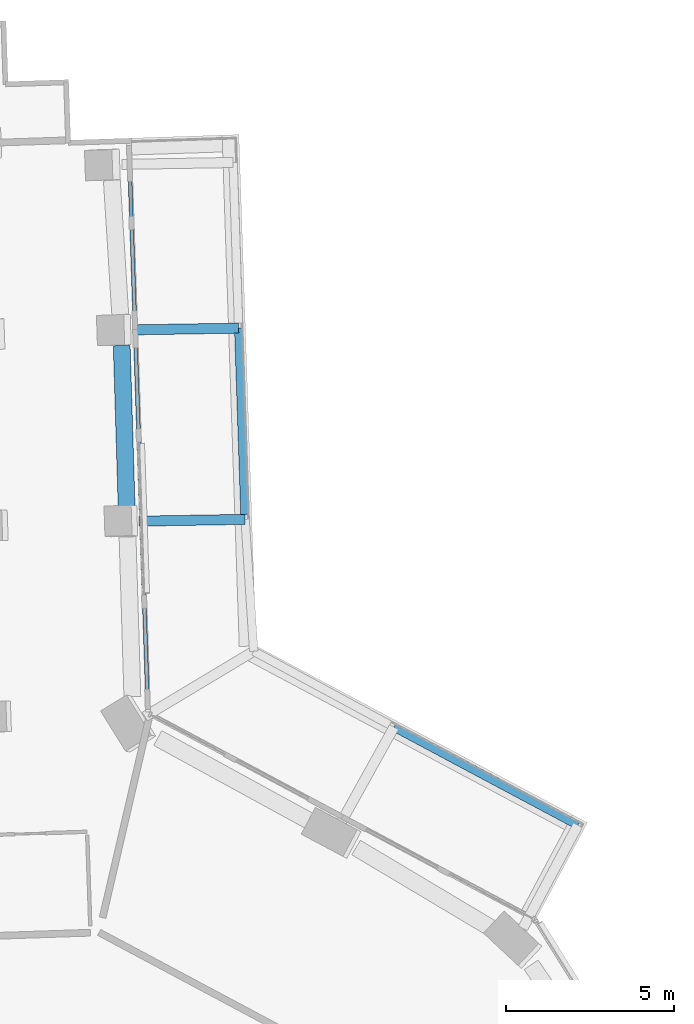
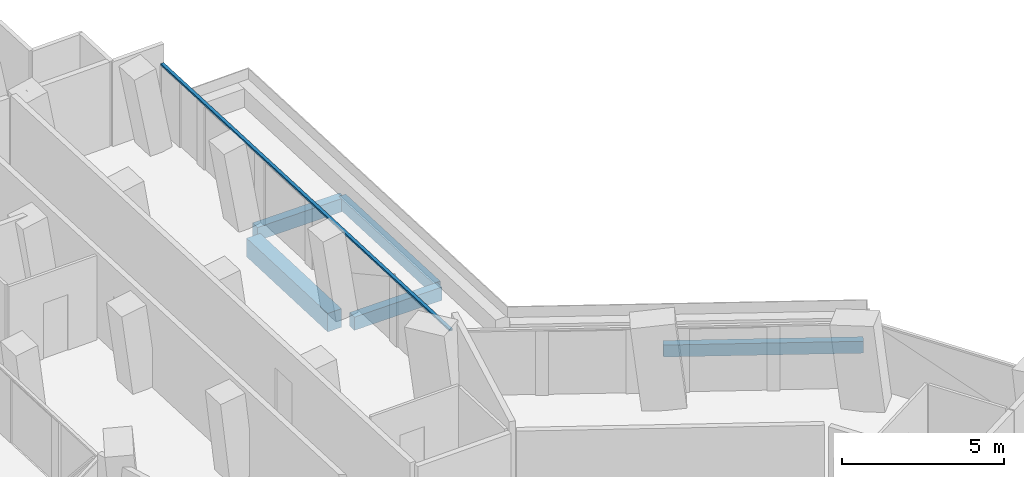
# One storey, part 11 of 27: 5 beams, 1 member, 1 element without a shape of its own.
"""IFC4 building model written with IfcOpenShell, lengths in metres."""

from ifc_helpers import new_model, si_unit, direction, frame, origin, origin_2d, place, context, subcontext, project, spatial, rectangle, extrude, material, layer, layer_set, material_profile, profile_set, type_object, element, aggregate, save


model = new_model("IFC4")

# Units and contexts
model_context = context("Model", 3, precision=1e-05, world=origin(), true_north=direction((0.0, 1.0)))
body_context = subcontext(model_context, "Body", "Model", "MODEL_VIEW")
ifc_project = project(units=[si_unit("LENGTHUNIT", "METRE"), si_unit("AREAUNIT", "SQUARE_METRE"), si_unit("VOLUMEUNIT", "CUBIC_METRE"), si_unit("PLANEANGLEUNIT", "RADIAN"), si_unit("MASSUNIT", "GRAM", prefix="KILO")], contexts=[model_context])

# Site, building, storey
site_placement = place(None, origin())
site = spatial("IfcSite", under=ifc_project, at=site_placement, CompositionType="ELEMENT")
building_placement = place(site_placement, origin())
building = spatial("IfcBuilding", under=site, at=building_placement, Name="Verdalira Terraces Hotel", CompositionType="ELEMENT")
storey_placement = place(building_placement, frame((0.0, 0.0, 42.5)))
storey = spatial("IfcBuildingStorey", under=building, at=storey_placement, Name="L08", CompositionType="ELEMENT", Elevation=42.5)

# Beams
ifc_material_1 = material(Name="Concrete C40", Category="concrete")
ifc_material_profile_1 = material_profile(ifc_material_1, rectangle(XDim=0.300049, YDim=0.5, at=origin_2d()), Name="RC 300X500")
ifc_profile_set_1 = profile_set([ifc_material_profile_1], Name="Concrete C40")
beam_type_1 = type_object("IfcBeamType", Name="Balcony cantilever beam RC 300X500 C40", PredefinedType="BEAM", material=ifc_profile_set_1)
beam_1_placement = place(storey_placement, frame((5.338135, 30.121338, -0.560059), z_axis=(0.999859113, 0.016785504, 0.0), x_axis=(-0.016785504, 0.999859113, 0.0)))
element("IfcBeam", 1, at=beam_1_placement, inside=storey, type_object=beam_type_1, Name="Balcony cantilever beam R41-4", PredefinedType="BEAM", context=body_context, shape_type="SweptSolid", body=[
    extrude(rectangle(XDim=0.300049, YDim=0.5, at=origin_2d()), origin(), (0.0, 0.0, 1.0), 3.15625),
])
beam_2_placement = place(storey_placement, frame((5.15625, 35.801514, -0.560059), z_axis=(0.99985965, 0.016753525, 0.0), x_axis=(-0.016753525, 0.99985965, 0.0)))
element("IfcBeam", 2, at=beam_2_placement, inside=storey, type_object=beam_type_1, Name="Balcony cantilever beam R41-5", PredefinedType="BEAM", context=body_context, shape_type="SweptSolid", body=[
    extrude(rectangle(XDim=0.300049, YDim=0.5, at=origin_2d()), origin(), (0.0, 0.0, 1.0), 3.147705),
])
ifc_material_2 = material(Name="Concrete C40", Category="concrete")
ifc_material_profile_2 = material_profile(ifc_material_2, rectangle(XDim=0.25, YDim=0.449951, at=origin_2d()), Name="RC 250X450")
ifc_profile_set_2 = profile_set([ifc_material_profile_2], Name="Concrete C40")
beam_type_2 = type_object("IfcBeamType", Name="Balcony edge beam RC 250X450 C40", PredefinedType="BEAM", material=ifc_profile_set_2)
beam_3_placement = place(storey_placement, frame((18.376221, 21.091309, -0.534912), z_axis=(-0.882304891, 0.470678319, 0.0), x_axis=(-0.470678319, -0.882304891, 0.0)))
element("IfcBeam", 3, at=beam_3_placement, inside=storey, type_object=beam_type_2, Name="Balcony edge beam R41-1", PredefinedType="BEAM", context=body_context, shape_type="SweptSolid", body=[
    extrude(rectangle(XDim=0.25, YDim=0.449951, at=origin_2d()), origin(), (0.0, 0.0, 1.0), 6.189209),
])
beam_4_placement = place(storey_placement, frame((8.48877, 30.324219, -0.534912), z_axis=(-0.033489658, 0.999439064, 0.0), x_axis=(-0.999439064, -0.033489658, 0.0)))
element("IfcBeam", 4, at=beam_4_placement, inside=storey, type_object=beam_type_2, Name="Balcony edge beam R41-4", PredefinedType="BEAM", context=body_context, shape_type="SweptSolid", body=[
    extrude(rectangle(XDim=0.25, YDim=0.449951, at=origin_2d()), origin(), (0.0, 0.0, 1.0), 5.533203),
])

# Curtain wall, member
ifc_material_3 = material(Name="Clear glass", Category="glass")
ifc_layer = layer(ifc_material_3, 0.14990234375)
ifc_layer_set = layer_set([ifc_layer], Name="CW2 curtain wall")
curtain_wall_type = type_object("IfcCurtainWallType", Name="CW2 curtain wall", PredefinedType="NOTDEFINED", material=ifc_layer_set)
curtain_wall_placement = place(storey_placement, origin())
curtain_wall = element("IfcCurtainWall", 5, at=curtain_wall_placement, inside=storey, type_object=curtain_wall_type, Name="CW2 curtain wall L08 edge 0", PredefinedType="NOTDEFINED")
ifc_material_4 = material(Name="Terracotta frame", Category="masonry")
ifc_material_profile_3 = material_profile(ifc_material_4, rectangle(XDim=0.11499, YDim=0.064941, at=origin_2d()), Name="TR 65x115")
ifc_profile_set_3 = profile_set([ifc_material_profile_3], Name="Terracotta frame")
member_type = type_object("IfcMemberType", Name="CW2 transom 65x115", PredefinedType="USERDEFINED", material=ifc_profile_set_3)
member_placement = place(storey_placement, frame((5.608643, 24.459961, 2.45752), z_axis=(-0.033500093, 0.999438714, 0.0), x_axis=(-0.999438714, -0.033500093, 0.0)))
member = element("IfcMember", 6, at=member_placement, type_object=member_type, Name="CW2 transom", ObjectType="TRANSOM", PredefinedType="USERDEFINED", context=body_context, shape_type="SweptSolid", body=[
    extrude(rectangle(XDim=0.11499, YDim=0.064941, at=origin_2d()), origin(), (0.0, 0.0, 1.0), 16.893066),
])
aggregate(curtain_wall, [member])

# Beam
ifc_material_5 = material(Name="Concrete C70", Category="concrete")
ifc_material_profile_4 = material_profile(ifc_material_5, rectangle(XDim=0.5, YDim=0.699951, at=origin_2d()), Name="RC 500X700")
ifc_profile_set_4 = profile_set([ifc_material_profile_4], Name="Concrete C70")
beam_type_3 = type_object("IfcBeamType", Name="Spandrel beam RC 500X700 C70", PredefinedType="SPANDREL", material=ifc_profile_set_4)
beam_5_placement = place(storey_placement, frame((4.974609, 30.563721, -0.659912), z_axis=(-0.030321636, 0.999540193, 0.0), x_axis=(-0.999540193, -0.030321636, 0.0)))
element("IfcBeam", 7, at=beam_5_placement, inside=storey, type_object=beam_type_3, Name="Spandrel beam B02", PredefinedType="SPANDREL", context=body_context, shape_type="SweptSolid", body=[
    extrude(rectangle(XDim=0.5, YDim=0.699951, at=origin_2d()), origin(), (0.0, 0.0, 1.0), 4.774658),
])

save(model, "model.ifc")
